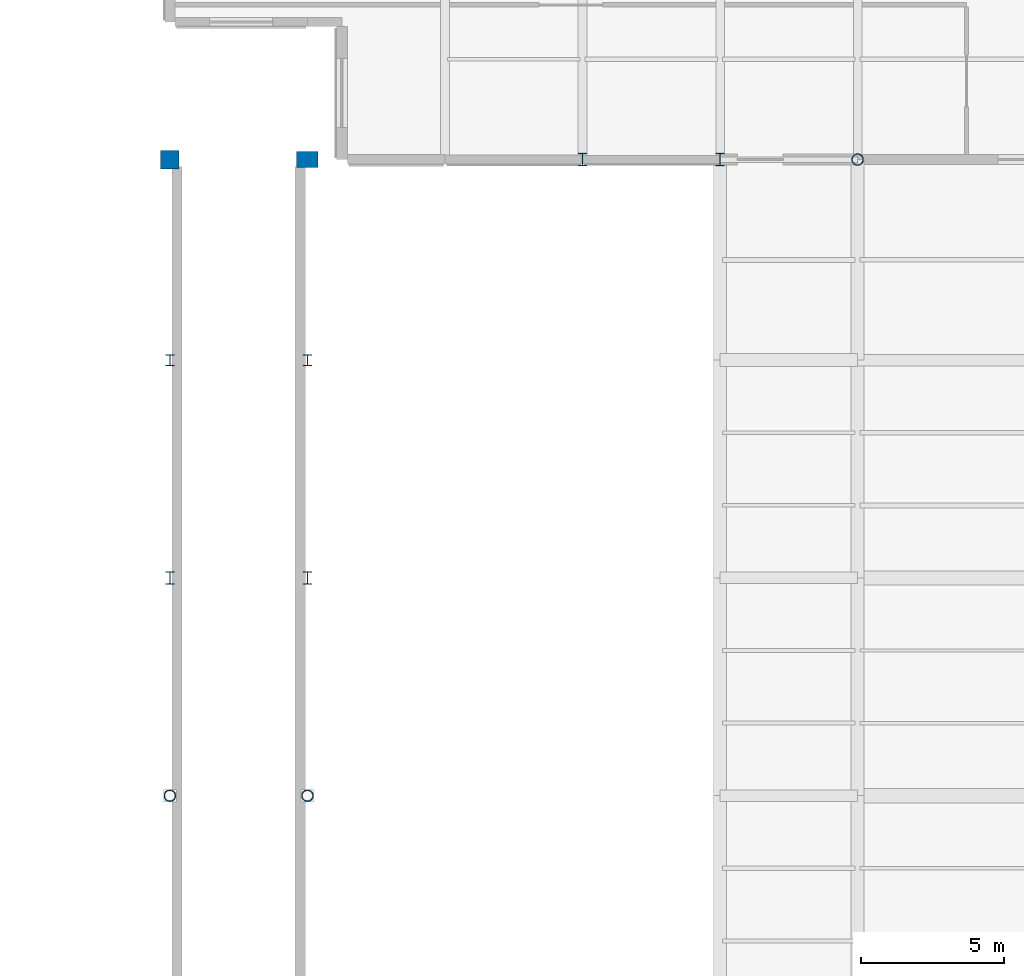
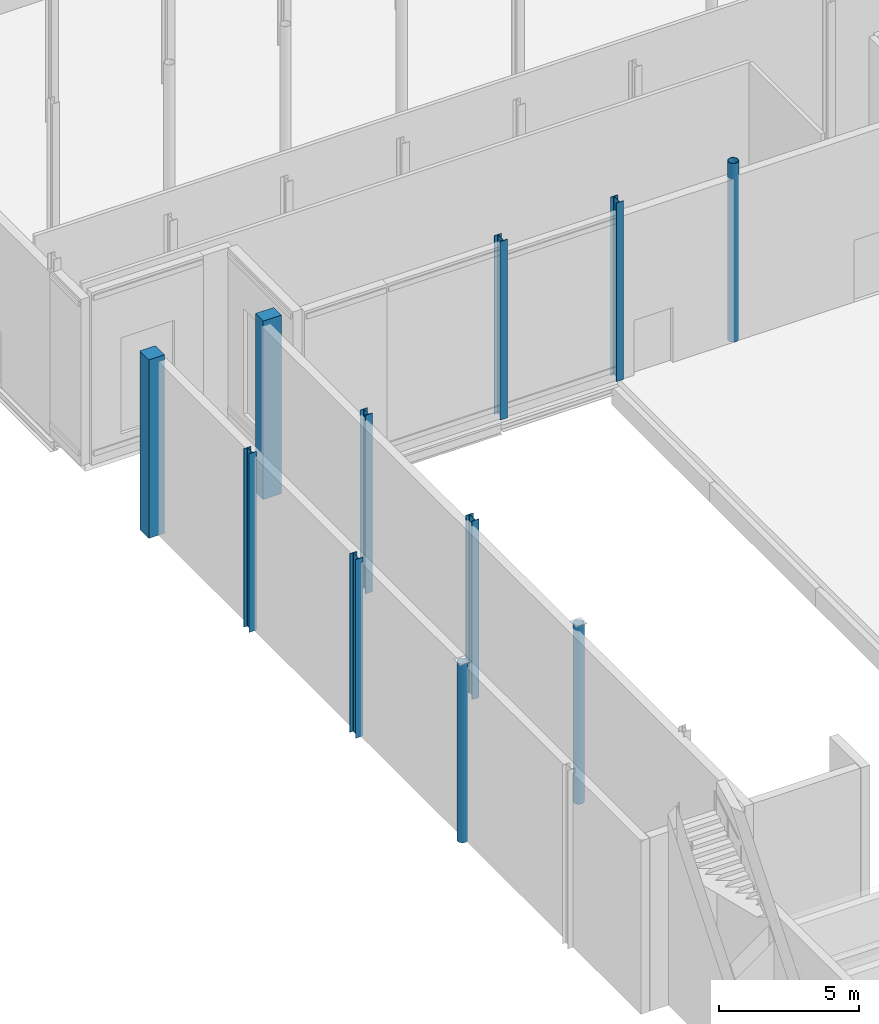
# One storey, part 3 of 176: 11 columns.
"""IFC4 building model written with IfcOpenShell, lengths in metres."""

from ifc_helpers import new_model, si_unit, direction, frame, origin, origin_2d, place, context, subcontext, project, spatial, rectangle, hollow_circle, i_section, extrude, material, material_profile, profile_set, type_object, element, save


model = new_model("IFC4")

# Units and contexts
model_context = context("Model", 3, precision=1e-05, world=origin(), true_north=direction((0.0, 1.0)))
body_context = subcontext(model_context, "Body", "Model", "MODEL_VIEW")
ifc_project = project(units=[si_unit("LENGTHUNIT", "METRE"), si_unit("AREAUNIT", "SQUARE_METRE"), si_unit("VOLUMEUNIT", "CUBIC_METRE"), si_unit("PLANEANGLEUNIT", "RADIAN"), si_unit("MASSUNIT", "GRAM", prefix="KILO")], contexts=[model_context])

# Site, building, storey
site_placement = place(None, origin())
site = spatial("IfcSite", under=ifc_project, at=site_placement, CompositionType="ELEMENT")
building_placement = place(site_placement, origin())
building = spatial("IfcBuilding", under=site, at=building_placement, Name="Vekula Escarpment Museum", CompositionType="ELEMENT")
storey_placement = place(building_placement, origin())
storey = spatial("IfcBuildingStorey", under=building, at=storey_placement, Name="L01", CompositionType="ELEMENT", Elevation=0.0)

# Columns
ifc_material_1 = material(Name="Steel S355", Category="steel")
ifc_material_profile_1 = material_profile(ifc_material_1, hollow_circle(Radius=0.203125, WallThickness=0.02001953125, at=origin_2d()), Name="CHS 406.4x20")
ifc_profile_set_1 = profile_set([ifc_material_profile_1], Name="Steel S355")
column_type_1 = type_object("IfcColumnType", Name="COL-S-CHS406", PredefinedType="COLUMN", material=ifc_profile_set_1)
for number, where, z_axis, x_axis, name in (
    (1, (0.0, 30.39990234375, 0.0), (0.0, 0.0, 1.0), (1.0, 0.0, 0.0), "Column L01 (0.0,30.4)"),
    (2, (4.800048828125, 30.39990234375, 0.0), (0.0, 0.0, 1.0), (1.0, 0.0, 0.0), "Column L01 (4.8,30.4)"),
    (3, (24.0, 52.60009765625, 0.0), (0.0, 0.0, 1.0), (1.0, 0.0, 0.0), "Column L01 (24.0,52.6)"),
):
    element("IfcColumn", number, at=place(storey_placement, frame(where, z_axis=z_axis, x_axis=x_axis)), inside=storey, type_object=column_type_1, Name=name, PredefinedType="COLUMN", context=body_context, shape_type="SweptSolid", body=[
        extrude(hollow_circle(Radius=0.203125, WallThickness=0.02001953125, at=origin_2d()), origin(), (0.0, 0.0, 1.0), 7.800048828125),
    ])
ifc_material_2 = material(Name="Steel S355", Category="steel")
ifc_material_profile_2 = material_profile(ifc_material_2, i_section(OverallWidth=0.300048828125, OverallDepth=0.389892578125, WebThickness=0.010986328125, FlangeThickness=0.01904296875, FilletRadius=0.027099609375, at=origin_2d()), Name="HEA 400")
ifc_profile_set_2 = profile_set([ifc_material_profile_2], Name="Steel S355")
column_type_2 = type_object("IfcColumnType", Name="COL-S-HEA400", PredefinedType="COLUMN", material=ifc_profile_set_2)
for number, where, z_axis, x_axis, name in (
    (4, (0.0, 45.60009765625, 0.0), (0.0, 0.0, 1.0), (1.0, 0.0, 0.0), "Column L01 (0.0,45.6)"),
    (5, (4.800048828125, 45.60009765625, 0.0), (0.0, 0.0, 1.0), (1.0, 0.0, 0.0), "Column L01 (4.8,45.6)"),
):
    element("IfcColumn", number, at=place(storey_placement, frame(where, z_axis=z_axis, x_axis=x_axis)), inside=storey, type_object=column_type_2, Name=name, PredefinedType="COLUMN", context=body_context, shape_type="SweptSolid", body=[
        extrude(i_section(OverallWidth=0.300048828125, OverallDepth=0.389892578125, WebThickness=0.010986328125, FlangeThickness=0.01904296875, FilletRadius=0.027099609375, at=origin_2d()), origin(), (0.0, 0.0, 1.0), 7.800048828125),
    ])
ifc_material_3 = material(Name="Steel S355", Category="steel")
ifc_material_profile_3 = material_profile(ifc_material_3, i_section(OverallWidth=0.300048828125, OverallDepth=0.43994140625, WebThickness=0.011474609375, FlangeThickness=0.02099609375, FilletRadius=0.027099609375, at=origin_2d()), Name="HEA 450")
ifc_profile_set_3 = profile_set([ifc_material_profile_3], Name="Steel S355")
column_type_3 = type_object("IfcColumnType", Name="COL-S-HEA450", PredefinedType="COLUMN", material=ifc_profile_set_3)
for number, where, z_axis, x_axis, name in (
    (6, (0.0, 38.0, 0.0), (0.0, 0.0, 1.0), (1.0, 0.0, 0.0), "Column L01 (0.0,38.0)"),
    (7, (4.800048828125, 38.0, 0.0), (0.0, 0.0, 1.0), (1.0, 0.0, 0.0), "Column L01 (4.8,38.0)"),
    (8, (14.39990234375, 52.60009765625, 0.0), (0.0, 0.0, 1.0), (1.0, 0.0, 0.0), "Column L01 (14.4,52.6)"),
    (9, (19.199951171875, 52.60009765625, 0.0), (0.0, 0.0, 1.0), (1.0, 0.0, 0.0), "Column L01 (19.2,52.6)"),
):
    element("IfcColumn", number, at=place(storey_placement, frame(where, z_axis=z_axis, x_axis=x_axis)), inside=storey, type_object=column_type_3, Name=name, PredefinedType="COLUMN", context=body_context, shape_type="SweptSolid", body=[
        extrude(i_section(OverallWidth=0.300048828125, OverallDepth=0.43994140625, WebThickness=0.011474609375, FlangeThickness=0.02099609375, FilletRadius=0.027099609375, at=origin_2d()), origin(), (0.0, 0.0, 1.0), 7.800048828125),
    ])
ifc_material_4 = material(Name="Inkisi arkosic sandstone masonry", Category="masonry")
ifc_material_profile_4 = material_profile(ifc_material_4, rectangle(XDim=0.64990234375, YDim=0.64990234375, at=origin_2d()), Name="PIER 650x650")
ifc_profile_set_4 = profile_set([ifc_material_profile_4], Name="Inkisi arkosic sandstone masonry")
column_type_4 = type_object("IfcColumnType", Name="PIL-ALM-650", PredefinedType="PILASTER", material=ifc_profile_set_4)
column_1_placement = place(storey_placement, frame((0.0, 52.60009765625, 0.0), z_axis=(0.0, 0.0, 1.0), x_axis=(1.0, 0.0, 0.0)))
element("IfcColumn", 10, at=column_1_placement, inside=storey, type_object=column_type_4, Name="Column L01 (0.0,52.6)", PredefinedType="PILASTER", context=body_context, shape_type="SweptSolid", body=[
    extrude(rectangle(XDim=0.64990234375, YDim=0.64990234375, at=origin_2d()), origin(), (0.0, 0.0, 1.0), 7.800048828125),
])
ifc_material_5 = material(Name="Inkisi arkosic sandstone masonry", Category="masonry")
ifc_material_profile_5 = material_profile(ifc_material_5, rectangle(XDim=0.75, YDim=0.550048828125, at=origin_2d()), Name="PIER 750x550")
ifc_profile_set_5 = profile_set([ifc_material_profile_5], Name="Inkisi arkosic sandstone masonry")
column_type_5 = type_object("IfcColumnType", Name="PIL-ALM-750", PredefinedType="PILASTER", material=ifc_profile_set_5)
column_2_placement = place(storey_placement, frame((4.800048828125, 52.60009765625, 0.0), z_axis=(0.0, 0.0, 1.0), x_axis=(1.0, 0.0, 0.0)))
element("IfcColumn", 11, at=column_2_placement, inside=storey, type_object=column_type_5, Name="Column L01 (4.8,52.6)", PredefinedType="PILASTER", context=body_context, shape_type="SweptSolid", body=[
    extrude(rectangle(XDim=0.75, YDim=0.550048828125, at=origin_2d()), origin(), (0.0, 0.0, 1.0), 7.800048828125),
])

save(model, "model.ifc")
